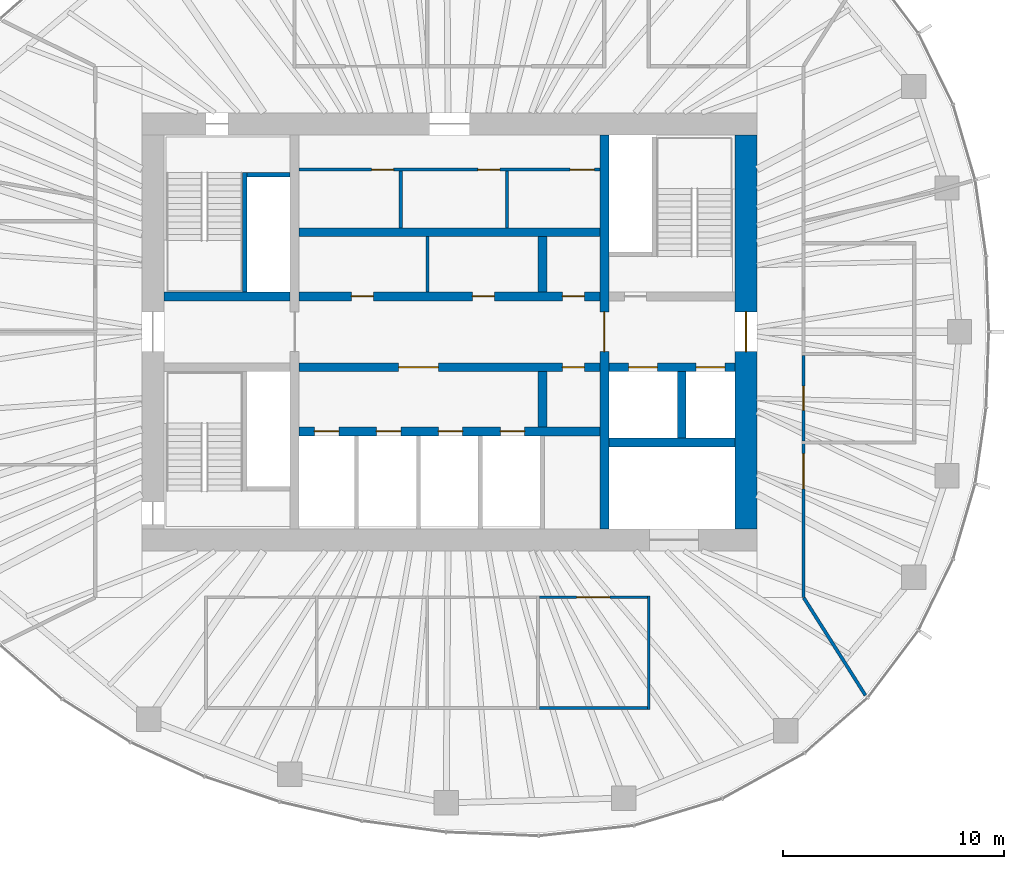
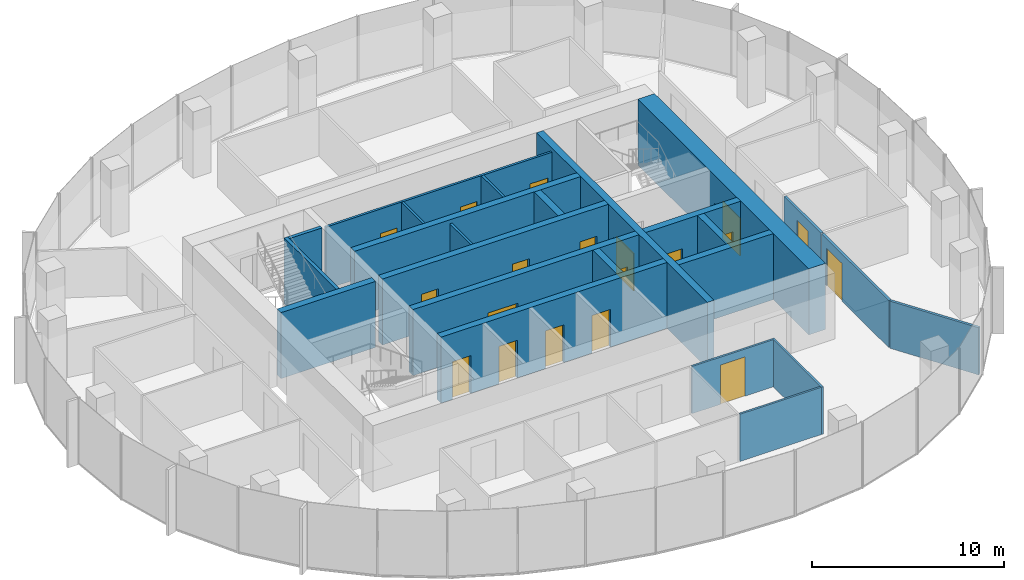
# One storey, part 9 of 11: 24 walls, 19 doors, 19 openings.
"""IFC4 building model written with IfcOpenShell, lengths in metres."""

from ifc_helpers import new_model, si_unit, direction, frame, frame_2d, origin, place, context, subcontext, project, spatial, rectangle, extrude, material, layer, layer_set, type_object, element, fill, save


model = new_model("IFC4")

# Units and contexts
model_context = context("Model", 3, precision=1e-05, world=origin(), true_north=direction((0.0, 1.0)))
body_context = subcontext(model_context, "Body", "Model", "MODEL_VIEW")
ifc_project = project(units=[si_unit("LENGTHUNIT", "METRE"), si_unit("AREAUNIT", "SQUARE_METRE"), si_unit("VOLUMEUNIT", "CUBIC_METRE"), si_unit("PLANEANGLEUNIT", "RADIAN"), si_unit("MASSUNIT", "GRAM", prefix="KILO")], contexts=[model_context])

# Site, building, storey
site_placement = place(None, origin())
site = spatial("IfcSite", under=ifc_project, at=site_placement, CompositionType="ELEMENT")
building_placement = place(site_placement, origin())
building = spatial("IfcBuilding", under=site, at=building_placement, Name="Ghaith Harvest Tower", CompositionType="ELEMENT")
storey_placement = place(building_placement, frame((0.0, 0.0, 292.199951171875)))
storey = spatial("IfcBuildingStorey", under=building, at=storey_placement, Name="L65", CompositionType="ELEMENT", Elevation=292.199951171875)

# Wall, openings, doors
ifc_material_1 = material(Name="Concrete blockwork, fair-faced", Category="masonry")
ifc_layer_1 = layer(ifc_material_1, 0.139892578125)
ifc_layer_set_1 = layer_set([ifc_layer_1], Name="CORE PARTITION 140")
wall_type_1 = type_object("IfcWallType", Name="CORE PARTITION 140", PredefinedType="PARTITIONING", material=ifc_layer_set_1)
wall_1_placement = place(storey_placement, frame((-6.800048828125, 7.330078125, 0.0), z_axis=(0.0, 0.0, 1.0), x_axis=(1.0, 0.0, 0.0)))
wall_1 = element("IfcWall", 1, at=wall_1_placement, inside=storey, type_object=wall_type_1, Name="Core partition L65", PredefinedType="PARTITIONING", context=body_context, shape_type="SweptSolid", body=[
    extrude(rectangle(XDim=13.60009765625, YDim=0.139892578125, at=frame_2d((6.800048828125, 0.0))), origin(), (0.0, 0.0, 1.0), 3.949951171875),
])
opening_1_placement = place(wall_1_placement, frame((3.280029296875, 0.0, 0.0)))
opening_1 = element("IfcOpeningElement", 2, at=opening_1_placement, cuts=wall_1, Name="Opening 65-008", PredefinedType="OPENING", context=body_context, shape_type="SweptSolid", body=[
    extrude(rectangle(XDim=1.0, YDim=2.39990234375, at=frame_2d((0.5, 1.199951171875))), frame((0.0, 0.080078125, 0.0), z_axis=(0.0, -1.0, 0.0), x_axis=(1.0, 0.0, 0.0)), (0.0, 0.0, 1.0), 0.159912109375),
])
opening_2_placement = place(wall_1_placement, frame((8.080078125, 0.0, 0.0)))
opening_2 = element("IfcOpeningElement", 3, at=opening_2_placement, cuts=wall_1, Name="Opening 65-009", PredefinedType="OPENING", context=body_context, shape_type="SweptSolid", body=[
    extrude(rectangle(XDim=1.0, YDim=2.39990234375, at=frame_2d((0.5, 1.199951171875))), frame((0.0, 0.080078125, 0.0), z_axis=(0.0, -1.0, 0.0), x_axis=(1.0, 0.0, 0.0)), (0.0, 0.0, 1.0), 0.159912109375),
])
opening_3_placement = place(wall_1_placement, frame((12.25, 0.0, 0.0)))
opening_3 = element("IfcOpeningElement", 4, at=opening_3_placement, cuts=wall_1, Name="Opening 65-010", PredefinedType="OPENING", context=body_context, shape_type="SweptSolid", body=[
    extrude(rectangle(XDim=1.10009765625, YDim=2.39990234375, at=frame_2d((0.550048828125, 1.199951171875))), frame((0.0, 0.080078125, 0.0), z_axis=(0.0, -1.0, 0.0), x_axis=(1.0, 0.0, 0.0)), (0.0, 0.0, 1.0), 0.159912109375),
])
ifc_material_2 = material(Name="Steel fire door", Category="steel")
door_type_1 = type_object("IfcDoorType", Name="D3 FD90 1000x2400", OperationType="SINGLE_SWING_LEFT", PredefinedType="DOOR", material=ifc_material_2)
door_1_placement = place(opening_1_placement, origin())
door_1 = element("IfcDoor", 5, at=door_1_placement, inside=storey, type_object=door_type_1, Name="Female WC door", OperationType="SINGLE_SWING_LEFT", OverallHeight=2.39990234375, OverallWidth=1.0, PredefinedType="DOOR", context=body_context, shape_type="SweptSolid", body=[
    extrude(rectangle(XDim=1.0, YDim=2.39990234375, at=frame_2d((0.5, 1.199951171875))), frame((0.0, 0.02490234375, 0.0), z_axis=(0.0, -1.0, 0.0), x_axis=(1.0, 0.0, 0.0)), (0.0, 0.0, 1.0), 0.050048828125),
])
fill(opening_1, door_1)
door_2_placement = place(opening_2_placement, origin())
door_2 = element("IfcDoor", 6, at=door_2_placement, inside=storey, type_object=door_type_1, Name="Male WC door", OperationType="SINGLE_SWING_RIGHT", OverallHeight=2.39990234375, OverallWidth=1.0, PredefinedType="DOOR", context=body_context, shape_type="SweptSolid", body=[
    extrude(rectangle(XDim=1.0, YDim=2.39990234375, at=frame_2d((0.5, 1.199951171875))), frame((0.0, 0.02490234375, 0.0), z_axis=(0.0, -1.0, 0.0), x_axis=(1.0, 0.0, 0.0)), (0.0, 0.0, 1.0), 0.050048828125),
])
fill(opening_2, door_2)
ifc_material_3 = material(Name="Steel fire door", Category="steel")
door_type_2 = type_object("IfcDoorType", Name="D9 FD90 1100x2400", OperationType="SINGLE_SWING_LEFT", PredefinedType="DOOR", material=ifc_material_3)
door_3_placement = place(opening_3_placement, origin())
door_3 = element("IfcDoor", 7, at=door_3_placement, inside=storey, type_object=door_type_2, Name="Accessible WC door", OperationType="SINGLE_SWING_RIGHT", OverallHeight=2.39990234375, OverallWidth=1.10009765625, PredefinedType="DOOR", context=body_context, shape_type="SweptSolid", body=[
    extrude(rectangle(XDim=1.10009765625, YDim=2.39990234375, at=frame_2d((0.550048828125, 1.199951171875))), frame((0.0, 0.02490234375, 0.0), z_axis=(0.0, -1.0, 0.0), x_axis=(1.0, 0.0, 0.0)), (0.0, 0.0, 1.0), 0.050048828125),
])
fill(opening_3, door_3)

# Walls
for number, where, z_axis, x_axis, name in (
    (8, (-2.199951171875, 4.699951171875, 0.0), (0.0, 0.0, 1.0), (0.0, 1.0, 0.0), "Core partition L65"),
    (9, (2.60009765625, 4.699951171875, 0.0), (0.0, 0.0, 1.0), (0.0, 1.0, 0.0), "Core partition L65"),
):
    element("IfcWall", number, at=place(storey_placement, frame(where, z_axis=z_axis, x_axis=x_axis)), inside=storey, type_object=wall_type_1, Name=name, PredefinedType="PARTITIONING", context=body_context, shape_type="SweptSolid", body=[
        extrude(rectangle(XDim=2.56005859375, YDim=0.139892578125, at=frame_2d((1.280029296875, 0.0))), origin(), (0.0, 0.0, 1.0), 3.949951171875),
    ])
wall_2_placement = place(storey_placement, frame((-1.0, 1.800048828125, 0.0), z_axis=(0.0, 0.0, 1.0), x_axis=(0.0, 1.0, 0.0)))
element("IfcWall", 10, at=wall_2_placement, inside=storey, type_object=wall_type_1, Name="Core partition L65", PredefinedType="PARTITIONING", context=body_context, shape_type="SweptSolid", body=[
    extrude(rectangle(XDim=2.5, YDim=0.139892578125, at=frame_2d((1.25, 0.0))), origin(), (0.0, 0.0, 1.0), 3.949951171875),
])

# Wall, opening, door
ifc_material_4 = material(Name="Concrete C50/60", Category="concrete")
ifc_layer_2 = layer(ifc_material_4, 1.0)
ifc_layer_set_2 = layer_set([ifc_layer_2], Name="CORE WALL CW1000")
wall_type_2 = type_object("IfcWallType", Name="CORE WALL CW1000", PredefinedType="SHEAR", material=ifc_layer_set_2)
wall_3_placement = place(storey_placement, frame((13.39990234375, -8.89990234375, 0.0), z_axis=(0.0, 0.0, 1.0), x_axis=(0.0, 1.0, 0.0)))
wall_3 = element("IfcWall", 11, at=wall_3_placement, inside=storey, type_object=wall_type_2, Name="Core wall E L65", PredefinedType="SHEAR", context=body_context, shape_type="SweptSolid", body=[
    extrude(rectangle(XDim=17.7998046875, YDim=1.0, at=frame_2d((8.89990234375, 0.0))), origin(), (0.0, 0.0, 1.0), 4.199951171875),
])
opening_4_placement = place(wall_3_placement, frame((8.0, 0.0, 0.0)))
opening_4 = element("IfcOpeningElement", 12, at=opening_4_placement, cuts=wall_3, Name="Opening 65-002", PredefinedType="OPENING", context=body_context, shape_type="SweptSolid", body=[
    extrude(rectangle(XDim=1.800048828125, YDim=2.39990234375, at=frame_2d((0.89990234375, 1.199951171875))), frame((0.0, 0.510009765625, 0.0), z_axis=(0.0, -1.0, 0.0), x_axis=(1.0, 0.0, 0.0)), (0.0, 0.0, 1.0), 1.02001953125),
])
ifc_material_5 = material(Name="Steel fire door", Category="steel")
door_type_3 = type_object("IfcDoorType", Name="D4 FD90 PAIR 1800x2400", OperationType="DOUBLE_DOOR_SINGLE_SWING", PredefinedType="DOOR", material=ifc_material_5)
door_4_placement = place(opening_4_placement, origin())
door_4 = element("IfcDoor", 13, at=door_4_placement, inside=storey, type_object=door_type_3, Name="Fire-fighting lobby doors", OperationType="DOUBLE_DOOR_SINGLE_SWING", OverallHeight=2.39990234375, OverallWidth=1.800048828125, PredefinedType="DOOR", context=body_context, shape_type="SweptSolid", body=[
    extrude(rectangle(XDim=1.800048828125, YDim=2.39990234375, at=frame_2d((0.89990234375, 1.199951171875))), frame((0.0, 0.02490234375, 0.0), z_axis=(0.0, -1.0, 0.0), x_axis=(1.0, 0.0, 0.0)), (0.0, 0.0, 1.0), 0.050048828125),
])
fill(opening_4, door_4)

# Wall
ifc_material_6 = material(Name="Insulated food-grade panel", Category="steel")
ifc_layer_3 = layer(ifc_material_6, 0.1201171875)
ifc_layer_set_3 = layer_set([ifc_layer_3], Name="INSULATED PANEL WALL 120")
wall_type_3 = type_object("IfcWallType", Name="INSULATED PANEL WALL 120", PredefinedType="PARTITIONING", material=ifc_layer_set_3)
wall_4_placement = place(storey_placement, frame((9.0, -11.93994140625, 0.0), z_axis=(0.0, 0.0, 1.0), x_axis=(0.0, -1.0, 0.0)))
element("IfcWall", 14, at=wall_4_placement, inside=storey, type_object=wall_type_3, Name="Partition L65 row S1 cross wall 5", PredefinedType="PARTITIONING", context=body_context, shape_type="SweptSolid", body=[
    extrude(rectangle(XDim=5.1201171875, YDim=0.1201171875, at=frame_2d((2.56005859375, 0.0))), origin(), (0.0, 0.0, 1.0), 3.0),
])

# Wall, opening, door
wall_5_placement = place(storey_placement, frame((4.06005859375, -12.0, 0.0), z_axis=(0.0, 0.0, 1.0), x_axis=(1.0, 0.0, 0.0)))
wall_5 = element("IfcWall", 15, at=wall_5_placement, inside=storey, type_object=wall_type_3, Name="Partition L65-04", PredefinedType="PARTITIONING", context=body_context, shape_type="SweptSolid", body=[
    extrude(rectangle(XDim=4.8798828125, YDim=0.1201171875, at=frame_2d((2.43994140625, 0.0))), origin(), (0.0, 0.0, 1.0), 3.0),
])
opening_5_placement = place(wall_5_placement, frame((1.68994140625, 0.0, 0.0)))
opening_5 = element("IfcOpeningElement", 16, at=opening_5_placement, cuts=wall_5, Name="Opening 65-027", PredefinedType="OPENING", context=body_context, shape_type="SweptSolid", body=[
    extrude(rectangle(XDim=1.5, YDim=2.5, at=frame_2d((0.75, 1.25))), frame((0.0, 0.070068359375, 0.0), z_axis=(0.0, -1.0, 0.0), x_axis=(1.0, 0.0, 0.0)), (0.0, 0.0, 1.0), 0.14013671875),
])
ifc_material_7 = material(Name="Insulated steel sliding door", Category="steel")
door_type_4 = type_object("IfcDoorType", Name="D13 COLD STORE SLIDING 1500x2500", OperationType="SLIDING_TO_LEFT", PredefinedType="DOOR", material=ifc_material_7)
door_5_placement = place(opening_5_placement, origin())
door_5 = element("IfcDoor", 17, at=door_5_placement, inside=storey, type_object=door_type_4, Name="Mushroom growing room door", OperationType="SLIDING_TO_LEFT", OverallHeight=2.5, OverallWidth=1.5, PredefinedType="DOOR", context=body_context, shape_type="SweptSolid", body=[
    extrude(rectangle(XDim=1.5, YDim=2.5, at=frame_2d((0.75, 1.25))), frame((0.0, 0.02490234375, 0.0), z_axis=(0.0, -1.0, 0.0), x_axis=(1.0, 0.0, 0.0)), (0.0, 0.0, 1.0), 0.050048828125),
])
fill(opening_5, door_5)

# Wall
wall_6_placement = place(storey_placement, frame((4.06005859375, -17.0, 0.0), z_axis=(0.0, 0.0, 1.0), x_axis=(1.0, 0.0, 0.0)))
element("IfcWall", 18, at=wall_6_placement, inside=storey, type_object=wall_type_3, Name="Partition L65-04", PredefinedType="PARTITIONING", context=body_context, shape_type="SweptSolid", body=[
    extrude(rectangle(XDim=4.8798828125, YDim=0.1201171875, at=frame_2d((2.43994140625, 0.0))), origin(), (0.0, 0.0, 1.0), 3.0),
])

# Wall, opening, door
ifc_material_8 = material(Name="Gypsum board on steel studs", Category="steel")
ifc_layer_4 = layer(ifc_material_8, 0.14990234375)
ifc_layer_set_4 = layer_set([ifc_layer_4], Name="PARTITION 150")
wall_type_4 = type_object("IfcWallType", Name="PARTITION 150", PredefinedType="PARTITIONING", material=ifc_layer_set_4)
wall_7_placement = place(storey_placement, frame((16.0, -4.925048828125, 0.0), z_axis=(0.0, 0.0, 1.0), x_axis=(0.0, 1.0, 0.0)))
wall_7 = element("IfcWall", 19, at=wall_7_placement, inside=storey, type_object=wall_type_4, Name="Partition L65-09", PredefinedType="PARTITIONING", context=body_context, shape_type="SweptSolid", body=[
    extrude(rectangle(XDim=3.85009765625, YDim=0.14990234375, at=frame_2d((1.925048828125, 0.0))), origin(), (0.0, 0.0, 1.0), 3.0),
])
opening_6_placement = place(wall_7_placement, frame((1.375, 0.0, 0.0)))
opening_6 = element("IfcOpeningElement", 20, at=opening_6_placement, cuts=wall_7, Name="Opening 65-032", PredefinedType="OPENING", context=body_context, shape_type="SweptSolid", body=[
    extrude(rectangle(XDim=1.10009765625, YDim=2.300048828125, at=frame_2d((0.550048828125, 1.14990234375))), frame((0.0, 0.0849609375, 0.0), z_axis=(0.0, -1.0, 0.0), x_axis=(1.0, 0.0, 0.0)), (0.0, 0.0, 1.0), 0.169921875),
])
ifc_material_9 = material(Name="Timber-framed glazed door", Category="wood")
door_type_5 = type_object("IfcDoorType", Name="D12 GLAZED OFFICE 1100x2300", OperationType="SINGLE_SWING_LEFT", PredefinedType="DOOR", material=ifc_material_9)
door_6_placement = place(opening_6_placement, origin())
door_6 = element("IfcDoor", 21, at=door_6_placement, inside=storey, type_object=door_type_5, Name="Crop office door", OperationType="SINGLE_SWING_LEFT", OverallHeight=2.300048828125, OverallWidth=1.10009765625, PredefinedType="DOOR", context=body_context, shape_type="SweptSolid", body=[
    extrude(rectangle(XDim=1.10009765625, YDim=2.300048828125, at=frame_2d((0.550048828125, 1.14990234375))), frame((0.0, 0.02490234375, 0.0), z_axis=(0.0, -1.0, 0.0), x_axis=(1.0, 0.0, 0.0)), (0.0, 0.0, 1.0), 0.050048828125),
])
fill(opening_6, door_6)

# Wall
wall_8_placement = place(storey_placement, frame((16.0107421875, -12.016845703125, 0.0), z_axis=(0.0, 0.0, 1.0), x_axis=(0.53415837449, -0.845384427916, 0.0)))
element("IfcWall", 22, at=wall_8_placement, inside=storey, type_object=wall_type_4, Name="Partition L65 zone division", PredefinedType="PARTITIONING", context=body_context, shape_type="SweptSolid", body=[
    extrude(rectangle(XDim=5.220458984375, YDim=0.14990234375, at=frame_2d((2.6103515625, 0.0))), origin(), (0.0, 0.0, 1.0), 3.0),
])

# Wall, opening, door
wall_9_placement = place(storey_placement, frame((16.0, -12.0, 0.0), z_axis=(0.0, 0.0, 1.0), x_axis=(0.0, 1.0, 0.0)))
wall_9 = element("IfcWall", 23, at=wall_9_placement, inside=storey, type_object=wall_type_4, Name="Partition L65 zone enclosure", PredefinedType="PARTITIONING", context=body_context, shape_type="SweptSolid", body=[
    extrude(rectangle(XDim=7.0, YDim=0.14990234375, at=frame_2d((3.5, 0.0))), origin(), (0.0, 0.0, 1.0), 3.0),
])
opening_7_placement = place(wall_9_placement, frame((4.89990234375, 0.0, 0.0)))
opening_7 = element("IfcOpeningElement", 24, at=opening_7_placement, cuts=wall_9, Name="Opening 65-036", PredefinedType="OPENING", context=body_context, shape_type="SweptSolid", body=[
    extrude(rectangle(XDim=1.60009765625, YDim=2.39990234375, at=frame_2d((0.800048828125, 1.199951171875))), frame((0.0, 0.0849609375, 0.0), z_axis=(0.0, -1.0, 0.0), x_axis=(1.0, 0.0, 0.0)), (0.0, 0.0, 1.0), 0.169921875),
])
ifc_material_10 = material(Name="Timber door", Category="wood")
door_type_6 = type_object("IfcDoorType", Name="D2 PAIR 1600x2400", OperationType="DOUBLE_DOOR_SINGLE_SWING", PredefinedType="DOOR", material=ifc_material_10)
door_7_placement = place(opening_7_placement, origin())
door_7 = element("IfcDoor", 25, at=door_7_placement, inside=storey, type_object=door_type_6, Name="Specialty growing area east 2 door", OperationType="DOUBLE_DOOR_SINGLE_SWING", OverallHeight=2.39990234375, OverallWidth=1.60009765625, PredefinedType="DOOR", context=body_context, shape_type="SweptSolid", body=[
    extrude(rectangle(XDim=1.60009765625, YDim=2.39990234375, at=frame_2d((0.800048828125, 1.199951171875))), frame((0.0, 0.02490234375, 0.0), z_axis=(0.0, -1.0, 0.0), x_axis=(1.0, 0.0, 0.0)), (0.0, 0.0, 1.0), 0.050048828125),
])
fill(opening_7, door_7)

ifc_material_11 = material(Name="Concrete C70/85", Category="concrete")
ifc_layer_5 = layer(ifc_material_11, 0.39990234375)
ifc_layer_set_5 = layer_set([ifc_layer_5], Name="SHAFT WALL 400")
wall_type_5 = type_object("IfcWallType", Name="SHAFT WALL 400", PredefinedType="SHEAR", material=ifc_layer_set_5)
wall_10_placement = place(storey_placement, frame((7.0, -8.89990234375, 0.0), z_axis=(0.0, 0.0, 1.0), x_axis=(0.0, 1.0, 0.0)))
wall_10 = element("IfcWall", 26, at=wall_10_placement, inside=storey, type_object=wall_type_5, Name="Shaft wall W7E L65", PredefinedType="SHEAR", context=body_context, shape_type="SweptSolid", body=[
    extrude(rectangle(XDim=17.7998046875, YDim=0.39990234375, at=frame_2d((8.89990234375, 0.0))), origin(), (0.0, 0.0, 1.0), 4.199951171875),
])
opening_8_placement = place(wall_10_placement, frame((8.0, 0.0, 0.0)))
opening_8 = element("IfcOpeningElement", 27, at=opening_8_placement, cuts=wall_10, Name="Opening 65-004", PredefinedType="OPENING", context=body_context, shape_type="SweptSolid", body=[
    extrude(rectangle(XDim=1.800048828125, YDim=2.39990234375, at=frame_2d((0.89990234375, 1.199951171875))), frame((0.0, 0.2099609375, 0.0), z_axis=(0.0, -1.0, 0.0), x_axis=(1.0, 0.0, 0.0)), (0.0, 0.0, 1.0), 0.419921875),
])
door_8_placement = place(opening_8_placement, origin())
door_8 = element("IfcDoor", 28, at=door_8_placement, inside=storey, type_object=door_type_3, Name="Lift lobby doors, east", OperationType="DOUBLE_DOOR_SINGLE_SWING", OverallHeight=2.39990234375, OverallWidth=1.800048828125, PredefinedType="DOOR", context=body_context, shape_type="SweptSolid", body=[
    extrude(rectangle(XDim=1.800048828125, YDim=2.39990234375, at=frame_2d((0.89990234375, 1.199951171875))), frame((0.0, 0.02490234375, 0.0), z_axis=(0.0, -1.0, 0.0), x_axis=(1.0, 0.0, 0.0)), (0.0, 0.0, 1.0), 0.050048828125),
])
fill(opening_8, door_8)

# Wall, openings, doors
wall_11_placement = place(storey_placement, frame((-6.800048828125, 1.60009765625, 0.0), z_axis=(0.0, 0.0, 1.0), x_axis=(1.0, 0.0, 0.0)))
wall_11 = element("IfcWall", 29, at=wall_11_placement, inside=storey, type_object=wall_type_5, Name="Shaft wall LN L65", PredefinedType="SHEAR", context=body_context, shape_type="SweptSolid", body=[
    extrude(rectangle(XDim=13.60009765625, YDim=0.39990234375, at=frame_2d((6.800048828125, 0.0))), origin(), (0.0, 0.0, 1.0), 4.199951171875),
])
opening_9_placement = place(wall_11_placement, frame((2.364990234375, 0.0, 0.0)))
opening_9 = element("IfcOpeningElement", 30, at=opening_9_placement, cuts=wall_11, Name="Opening 65-011", PredefinedType="OPENING", context=body_context, shape_type="SweptSolid", body=[
    extrude(rectangle(XDim=1.0, YDim=2.39990234375, at=frame_2d((0.5, 1.199951171875))), frame((0.0, 0.2099609375, 0.0), z_axis=(0.0, -1.0, 0.0), x_axis=(1.0, 0.0, 0.0)), (0.0, 0.0, 1.0), 0.419921875),
])
opening_10_placement = place(wall_11_placement, frame((7.8349609375, 0.0, 0.0)))
opening_10 = element("IfcOpeningElement", 31, at=opening_10_placement, cuts=wall_11, Name="Opening 65-012", PredefinedType="OPENING", context=body_context, shape_type="SweptSolid", body=[
    extrude(rectangle(XDim=1.0, YDim=2.39990234375, at=frame_2d((0.5, 1.199951171875))), frame((0.0, 0.2099609375, 0.0), z_axis=(0.0, -1.0, 0.0), x_axis=(1.0, 0.0, 0.0)), (0.0, 0.0, 1.0), 0.419921875),
])
opening_11_placement = place(wall_11_placement, frame((11.89990234375, 0.0, 0.0)))
opening_11 = element("IfcOpeningElement", 32, at=opening_11_placement, cuts=wall_11, Name="Opening 65-013", PredefinedType="OPENING", context=body_context, shape_type="SweptSolid", body=[
    extrude(rectangle(XDim=1.0, YDim=2.39990234375, at=frame_2d((0.5, 1.199951171875))), frame((0.0, 0.2099609375, 0.0), z_axis=(0.0, -1.0, 0.0), x_axis=(1.0, 0.0, 0.0)), (0.0, 0.0, 1.0), 0.419921875),
])
door_9_placement = place(opening_9_placement, origin())
door_9 = element("IfcDoor", 33, at=door_9_placement, inside=storey, type_object=door_type_1, Name="Electrical room door", OperationType="SINGLE_SWING_LEFT", OverallHeight=2.39990234375, OverallWidth=1.0, PredefinedType="DOOR", context=body_context, shape_type="SweptSolid", body=[
    extrude(rectangle(XDim=1.0, YDim=2.39990234375, at=frame_2d((0.5, 1.199951171875))), frame((0.0, 0.02490234375, 0.0), z_axis=(0.0, -1.0, 0.0), x_axis=(1.0, 0.0, 0.0)), (0.0, 0.0, 1.0), 0.050048828125),
])
fill(opening_9, door_9)
door_10_placement = place(opening_10_placement, origin())
door_10 = element("IfcDoor", 34, at=door_10_placement, inside=storey, type_object=door_type_1, Name="Security room door", OperationType="SINGLE_SWING_RIGHT", OverallHeight=2.39990234375, OverallWidth=1.0, PredefinedType="DOOR", context=body_context, shape_type="SweptSolid", body=[
    extrude(rectangle(XDim=1.0, YDim=2.39990234375, at=frame_2d((0.5, 1.199951171875))), frame((0.0, 0.02490234375, 0.0), z_axis=(0.0, -1.0, 0.0), x_axis=(1.0, 0.0, 0.0)), (0.0, 0.0, 1.0), 0.050048828125),
])
fill(opening_10, door_10)
door_11_placement = place(opening_11_placement, origin())
door_11 = element("IfcDoor", 35, at=door_11_placement, inside=storey, type_object=door_type_1, Name="Communications equipment room door", OperationType="SINGLE_SWING_RIGHT", OverallHeight=2.39990234375, OverallWidth=1.0, PredefinedType="DOOR", context=body_context, shape_type="SweptSolid", body=[
    extrude(rectangle(XDim=1.0, YDim=2.39990234375, at=frame_2d((0.5, 1.199951171875))), frame((0.0, 0.02490234375, 0.0), z_axis=(0.0, -1.0, 0.0), x_axis=(1.0, 0.0, 0.0)), (0.0, 0.0, 1.0), 0.050048828125),
])
fill(opening_11, door_11)

wall_12_placement = place(storey_placement, frame((-6.800048828125, -1.60009765625, 0.0), z_axis=(0.0, 0.0, 1.0), x_axis=(1.0, 0.0, 0.0)))
wall_12 = element("IfcWall", 36, at=wall_12_placement, inside=storey, type_object=wall_type_5, Name="Shaft wall LS L65", PredefinedType="SHEAR", context=body_context, shape_type="SweptSolid", body=[
    extrude(rectangle(XDim=13.60009765625, YDim=0.39990234375, at=frame_2d((6.800048828125, 0.0))), origin(), (0.0, 0.0, 1.0), 4.199951171875),
])
opening_12_placement = place(wall_12_placement, frame((11.89990234375, 0.0, 0.0)))
opening_12 = element("IfcOpeningElement", 37, at=opening_12_placement, cuts=wall_12, Name="Opening 65-014", PredefinedType="OPENING", context=body_context, shape_type="SweptSolid", body=[
    extrude(rectangle(XDim=1.0, YDim=2.39990234375, at=frame_2d((0.5, 1.199951171875))), frame((0.0, 0.2099609375, 0.0), z_axis=(0.0, -1.0, 0.0), x_axis=(1.0, 0.0, 0.0)), (0.0, 0.0, 1.0), 0.419921875),
])
opening_13_placement = place(wall_12_placement, frame((4.5, 0.0, 0.0)))
opening_13 = element("IfcOpeningElement", 38, at=opening_13_placement, cuts=wall_12, Name="Opening 65-015", PredefinedType="OPENING", context=body_context, shape_type="SweptSolid", body=[
    extrude(rectangle(XDim=1.800048828125, YDim=2.39990234375, at=frame_2d((0.89990234375, 1.199951171875))), frame((0.0, 0.2099609375, 0.0), z_axis=(0.0, -1.0, 0.0), x_axis=(1.0, 0.0, 0.0)), (0.0, 0.0, 1.0), 0.419921875),
])
door_12_placement = place(opening_12_placement, origin())
door_12 = element("IfcDoor", 39, at=door_12_placement, inside=storey, type_object=door_type_1, Name="First aid room door", OperationType="SINGLE_SWING_RIGHT", OverallHeight=2.39990234375, OverallWidth=1.0, PredefinedType="DOOR", context=body_context, shape_type="SweptSolid", body=[
    extrude(rectangle(XDim=1.0, YDim=2.39990234375, at=frame_2d((0.5, 1.199951171875))), frame((0.0, 0.02490234375, 0.0), z_axis=(0.0, -1.0, 0.0), x_axis=(1.0, 0.0, 0.0)), (0.0, 0.0, 1.0), 0.050048828125),
])
fill(opening_12, door_12)
door_13_placement = place(opening_13_placement, origin())
door_13 = element("IfcDoor", 40, at=door_13_placement, inside=storey, type_object=door_type_3, Name="Lift lobby doors, upper-zone bank", OperationType="DOUBLE_DOOR_SINGLE_SWING", OverallHeight=2.39990234375, OverallWidth=1.800048828125, PredefinedType="DOOR", context=body_context, shape_type="SweptSolid", body=[
    extrude(rectangle(XDim=1.800048828125, YDim=2.39990234375, at=frame_2d((0.89990234375, 1.199951171875))), frame((0.0, 0.02490234375, 0.0), z_axis=(0.0, -1.0, 0.0), x_axis=(1.0, 0.0, 0.0)), (0.0, 0.0, 1.0), 0.050048828125),
])
fill(opening_13, door_13)

# Wall
wall_13_placement = place(storey_placement, frame((-6.800048828125, 4.5, 0.0), z_axis=(0.0, 0.0, 1.0), x_axis=(1.0, 0.0, 0.0)))
element("IfcWall", 41, at=wall_13_placement, inside=storey, type_object=wall_type_5, Name="Shaft wall BN L65", PredefinedType="SHEAR", context=body_context, shape_type="SweptSolid", body=[
    extrude(rectangle(XDim=13.60009765625, YDim=0.39990234375, at=frame_2d((6.800048828125, 0.0))), origin(), (0.0, 0.0, 1.0), 4.199951171875),
])

# Wall, openings, doors
wall_14_placement = place(storey_placement, frame((-6.800048828125, -4.5, 0.0), z_axis=(0.0, 0.0, 1.0), x_axis=(1.0, 0.0, 0.0)))
wall_14 = element("IfcWall", 42, at=wall_14_placement, inside=storey, type_object=wall_type_5, Name="Shaft wall BS L65", PredefinedType="SHEAR", context=body_context, shape_type="SweptSolid", body=[
    extrude(rectangle(XDim=13.60009765625, YDim=0.39990234375, at=frame_2d((6.800048828125, 0.0))), origin(), (0.0, 0.0, 1.0), 4.199951171875),
])
opening_14_placement = place(wall_14_placement, frame((0.699951171875, 0.0, 0.0)))
opening_14 = element("IfcOpeningElement", 43, at=opening_14_placement, cuts=wall_14, Name="Opening 65-017", PredefinedType="OPENING", context=body_context, shape_type="SweptSolid", body=[
    extrude(rectangle(XDim=1.10009765625, YDim=2.39990234375, at=frame_2d((0.550048828125, 1.199951171875))), frame((0.0, 0.2099609375, 0.0), z_axis=(0.0, -1.0, 0.0), x_axis=(1.0, 0.0, 0.0)), (0.0, 0.0, 1.0), 0.419921875),
])
opening_15_placement = place(wall_14_placement, frame((3.5, 0.0, 0.0)))
opening_15 = element("IfcOpeningElement", 44, at=opening_15_placement, cuts=wall_14, Name="Opening 65-018", PredefinedType="OPENING", context=body_context, shape_type="SweptSolid", body=[
    extrude(rectangle(XDim=1.10009765625, YDim=2.39990234375, at=frame_2d((0.550048828125, 1.199951171875))), frame((0.0, 0.2099609375, 0.0), z_axis=(0.0, -1.0, 0.0), x_axis=(1.0, 0.0, 0.0)), (0.0, 0.0, 1.0), 0.419921875),
])
opening_16_placement = place(wall_14_placement, frame((6.300048828125, 0.0, 0.0)))
opening_16 = element("IfcOpeningElement", 45, at=opening_16_placement, cuts=wall_14, Name="Opening 65-019", PredefinedType="OPENING", context=body_context, shape_type="SweptSolid", body=[
    extrude(rectangle(XDim=1.10009765625, YDim=2.39990234375, at=frame_2d((0.550048828125, 1.199951171875))), frame((0.0, 0.2099609375, 0.0), z_axis=(0.0, -1.0, 0.0), x_axis=(1.0, 0.0, 0.0)), (0.0, 0.0, 1.0), 0.419921875),
])
opening_17_placement = place(wall_14_placement, frame((9.10009765625, 0.0, 0.0)))
opening_17 = element("IfcOpeningElement", 46, at=opening_17_placement, cuts=wall_14, Name="Opening 65-020", PredefinedType="OPENING", context=body_context, shape_type="SweptSolid", body=[
    extrude(rectangle(XDim=1.10009765625, YDim=2.39990234375, at=frame_2d((0.550048828125, 1.199951171875))), frame((0.0, 0.2099609375, 0.0), z_axis=(0.0, -1.0, 0.0), x_axis=(1.0, 0.0, 0.0)), (0.0, 0.0, 1.0), 0.419921875),
])
ifc_material_12 = material(Name="Steel fire door", Category="steel")
door_type_7 = type_object("IfcDoorType", Name="LD1 LANDING 1100x2400", OperationType="DOUBLE_DOOR_SLIDING", PredefinedType="DOOR", material=ifc_material_12)
door_14_placement = place(opening_14_placement, origin())
door_14 = element("IfcDoor", 47, at=door_14_placement, inside=storey, type_object=door_type_7, Name="Landing door, lift TR1", OperationType="DOUBLE_DOOR_SLIDING", OverallHeight=2.39990234375, OverallWidth=1.10009765625, PredefinedType="DOOR", context=body_context, shape_type="SweptSolid", body=[
    extrude(rectangle(XDim=1.10009765625, YDim=2.39990234375, at=frame_2d((0.550048828125, 1.199951171875))), frame((0.0, 0.02490234375, 0.0), z_axis=(0.0, -1.0, 0.0), x_axis=(1.0, 0.0, 0.0)), (0.0, 0.0, 1.0), 0.050048828125),
])
fill(opening_14, door_14)
door_15_placement = place(opening_15_placement, origin())
door_15 = element("IfcDoor", 48, at=door_15_placement, inside=storey, type_object=door_type_7, Name="Landing door, lift TR2", OperationType="DOUBLE_DOOR_SLIDING", OverallHeight=2.39990234375, OverallWidth=1.10009765625, PredefinedType="DOOR", context=body_context, shape_type="SweptSolid", body=[
    extrude(rectangle(XDim=1.10009765625, YDim=2.39990234375, at=frame_2d((0.550048828125, 1.199951171875))), frame((0.0, 0.02490234375, 0.0), z_axis=(0.0, -1.0, 0.0), x_axis=(1.0, 0.0, 0.0)), (0.0, 0.0, 1.0), 0.050048828125),
])
fill(opening_15, door_15)
door_16_placement = place(opening_16_placement, origin())
door_16 = element("IfcDoor", 49, at=door_16_placement, inside=storey, type_object=door_type_7, Name="Landing door, lift TR3", OperationType="DOUBLE_DOOR_SLIDING", OverallHeight=2.39990234375, OverallWidth=1.10009765625, PredefinedType="DOOR", context=body_context, shape_type="SweptSolid", body=[
    extrude(rectangle(XDim=1.10009765625, YDim=2.39990234375, at=frame_2d((0.550048828125, 1.199951171875))), frame((0.0, 0.02490234375, 0.0), z_axis=(0.0, -1.0, 0.0), x_axis=(1.0, 0.0, 0.0)), (0.0, 0.0, 1.0), 0.050048828125),
])
fill(opening_16, door_16)
door_17_placement = place(opening_17_placement, origin())
door_17 = element("IfcDoor", 50, at=door_17_placement, inside=storey, type_object=door_type_7, Name="Landing door, lift TR4", OperationType="DOUBLE_DOOR_SLIDING", OverallHeight=2.39990234375, OverallWidth=1.10009765625, PredefinedType="DOOR", context=body_context, shape_type="SweptSolid", body=[
    extrude(rectangle(XDim=1.10009765625, YDim=2.39990234375, at=frame_2d((0.550048828125, 1.199951171875))), frame((0.0, 0.02490234375, 0.0), z_axis=(0.0, -1.0, 0.0), x_axis=(1.0, 0.0, 0.0)), (0.0, 0.0, 1.0), 0.050048828125),
])
fill(opening_17, door_17)

# Wall
wall_15_placement = place(storey_placement, frame((-12.89990234375, 1.60009765625, 0.0), z_axis=(0.0, 0.0, 1.0), x_axis=(1.0, 0.0, 0.0)))
element("IfcWall", 51, at=wall_15_placement, inside=storey, type_object=wall_type_5, Name="Shaft wall WN L65", PredefinedType="SHEAR", context=body_context, shape_type="SweptSolid", body=[
    extrude(rectangle(XDim=5.699951171875, YDim=0.39990234375, at=frame_2d((2.85009765625, 0.0))), origin(), (0.0, 0.0, 1.0), 4.199951171875),
])

# Wall, openings, doors
wall_16_placement = place(storey_placement, frame((7.199951171875, -1.60009765625, 0.0), z_axis=(0.0, 0.0, 1.0), x_axis=(1.0, 0.0, 0.0)))
wall_16 = element("IfcWall", 52, at=wall_16_placement, inside=storey, type_object=wall_type_5, Name="Shaft wall ES L65", PredefinedType="SHEAR", context=body_context, shape_type="SweptSolid", body=[
    extrude(rectangle(XDim=5.699951171875, YDim=0.39990234375, at=frame_2d((2.85009765625, 0.0))), origin(), (0.0, 0.0, 1.0), 4.199951171875),
])
opening_18_placement = place(wall_16_placement, frame((0.89990234375, 0.0, 0.0)))
opening_18 = element("IfcOpeningElement", 53, at=opening_18_placement, cuts=wall_16, Name="Opening 65-021", PredefinedType="OPENING", context=body_context, shape_type="SweptSolid", body=[
    extrude(rectangle(XDim=1.300048828125, YDim=2.39990234375, at=frame_2d((0.64990234375, 1.199951171875))), frame((0.0, 0.2099609375, 0.0), z_axis=(0.0, -1.0, 0.0), x_axis=(1.0, 0.0, 0.0)), (0.0, 0.0, 1.0), 0.419921875),
])
opening_19_placement = place(wall_16_placement, frame((3.949951171875, 0.0, 0.0)))
opening_19 = element("IfcOpeningElement", 54, at=opening_19_placement, cuts=wall_16, Name="Opening 65-022", PredefinedType="OPENING", context=body_context, shape_type="SweptSolid", body=[
    extrude(rectangle(XDim=1.300048828125, YDim=2.39990234375, at=frame_2d((0.64990234375, 1.199951171875))), frame((0.0, 0.2099609375, 0.0), z_axis=(0.0, -1.0, 0.0), x_axis=(1.0, 0.0, 0.0)), (0.0, 0.0, 1.0), 0.419921875),
])
ifc_material_13 = material(Name="Steel fire door", Category="steel")
door_type_8 = type_object("IfcDoorType", Name="LD2 LANDING 1300x2400", OperationType="DOUBLE_DOOR_SLIDING", PredefinedType="DOOR", material=ifc_material_13)
door_18_placement = place(opening_18_placement, origin())
door_18 = element("IfcDoor", 55, at=door_18_placement, inside=storey, type_object=door_type_8, Name="Landing door, fire service lift FL1", OperationType="DOUBLE_DOOR_SLIDING", OverallHeight=2.39990234375, OverallWidth=1.300048828125, PredefinedType="DOOR", context=body_context, shape_type="SweptSolid", body=[
    extrude(rectangle(XDim=1.300048828125, YDim=2.39990234375, at=frame_2d((0.64990234375, 1.199951171875))), frame((0.0, 0.02490234375, 0.0), z_axis=(0.0, -1.0, 0.0), x_axis=(1.0, 0.0, 0.0)), (0.0, 0.0, 1.0), 0.050048828125),
])
fill(opening_18, door_18)
door_19_placement = place(opening_19_placement, origin())
door_19 = element("IfcDoor", 56, at=door_19_placement, inside=storey, type_object=door_type_8, Name="Landing door, fire service lift FL2", OperationType="DOUBLE_DOOR_SLIDING", OverallHeight=2.39990234375, OverallWidth=1.300048828125, PredefinedType="DOOR", context=body_context, shape_type="SweptSolid", body=[
    extrude(rectangle(XDim=1.300048828125, YDim=2.39990234375, at=frame_2d((0.64990234375, 1.199951171875))), frame((0.0, 0.02490234375, 0.0), z_axis=(0.0, -1.0, 0.0), x_axis=(1.0, 0.0, 0.0)), (0.0, 0.0, 1.0), 0.050048828125),
])
fill(opening_19, door_19)

# Walls
wall_17_placement = place(storey_placement, frame((10.5, -4.800048828125, 0.0), z_axis=(0.0, 0.0, 1.0), x_axis=(0.0, 1.0, 0.0)))
element("IfcWall", 57, at=wall_17_placement, inside=storey, type_object=wall_type_5, Name="Shaft wall FLD L65", PredefinedType="SHEAR", context=body_context, shape_type="SweptSolid", body=[
    extrude(rectangle(XDim=3.0, YDim=0.39990234375, at=frame_2d((1.5, 0.0))), origin(), (0.0, 0.0, 1.0), 4.199951171875),
])
wall_18_placement = place(storey_placement, frame((7.199951171875, -5.0, 0.0), z_axis=(0.0, 0.0, 1.0), x_axis=(1.0, 0.0, 0.0)))
element("IfcWall", 58, at=wall_18_placement, inside=storey, type_object=wall_type_5, Name="Shaft wall FLB L65", PredefinedType="SHEAR", context=body_context, shape_type="SweptSolid", body=[
    extrude(rectangle(XDim=5.699951171875, YDim=0.39990234375, at=frame_2d((2.85009765625, 0.0))), origin(), (0.0, 0.0, 1.0), 4.199951171875),
])
for number, where, z_axis, x_axis, name in (
    (59, (4.199951171875, 1.800048828125, 0.0), (0.0, 0.0, 1.0), (0.0, 1.0, 0.0), "Shaft wall DN4 L65"),
    (60, (4.199951171875, -4.300048828125, 0.0), (0.0, 0.0, 1.0), (0.0, 1.0, 0.0), "Shaft wall DS4 L65"),
):
    element("IfcWall", number, at=place(storey_placement, frame(where, z_axis=z_axis, x_axis=x_axis)), inside=storey, type_object=wall_type_5, Name=name, PredefinedType="SHEAR", context=body_context, shape_type="SweptSolid", body=[
        extrude(rectangle(XDim=2.5, YDim=0.39990234375, at=frame_2d((1.25, 0.0))), origin(), (0.0, 0.0, 1.0), 4.199951171875),
    ])
ifc_material_14 = material(Name="Concrete C40/50", Category="concrete")
ifc_layer_6 = layer(ifc_material_14, 0.199951171875)
ifc_layer_set_6 = layer_set([ifc_layer_6], Name="STAIR SPINE WALL RC200")
wall_type_6 = type_object("IfcWallType", Name="STAIR SPINE WALL RC200", PredefinedType="SOLIDWALL", material=ifc_layer_set_6)
wall_19_placement = place(storey_placement, frame((-9.25, 7.199951171875, 0.0), z_axis=(0.0, 0.0, 1.0), x_axis=(0.0, -1.0, 0.0)))
element("IfcWall", 61, at=wall_19_placement, inside=storey, type_object=wall_type_6, Name="Stair ST1 spine wall L65", PredefinedType="SOLIDWALL", context=body_context, shape_type="SweptSolid", body=[
    extrude(rectangle(XDim=5.39990234375, YDim=0.199951171875, at=frame_2d((2.699951171875, 0.0))), origin(), (0.0, 0.0, 1.0), 4.199951171875),
])
wall_20_placement = place(storey_placement, frame((-9.14990234375, 7.10009765625, 0.0), z_axis=(0.0, 0.0, 1.0), x_axis=(1.0, 0.0, 0.0)))
element("IfcWall", 62, at=wall_20_placement, inside=storey, type_object=wall_type_6, Name="Stair ST1 spine wall return L65", PredefinedType="SOLIDWALL", context=body_context, shape_type="SweptSolid", body=[
    extrude(rectangle(XDim=1.949951171875, YDim=0.199951171875, at=frame_2d((0.97509765625, 0.0))), origin(), (0.0, 0.0, 1.0), 4.199951171875),
])

save(model, "model.ifc")
